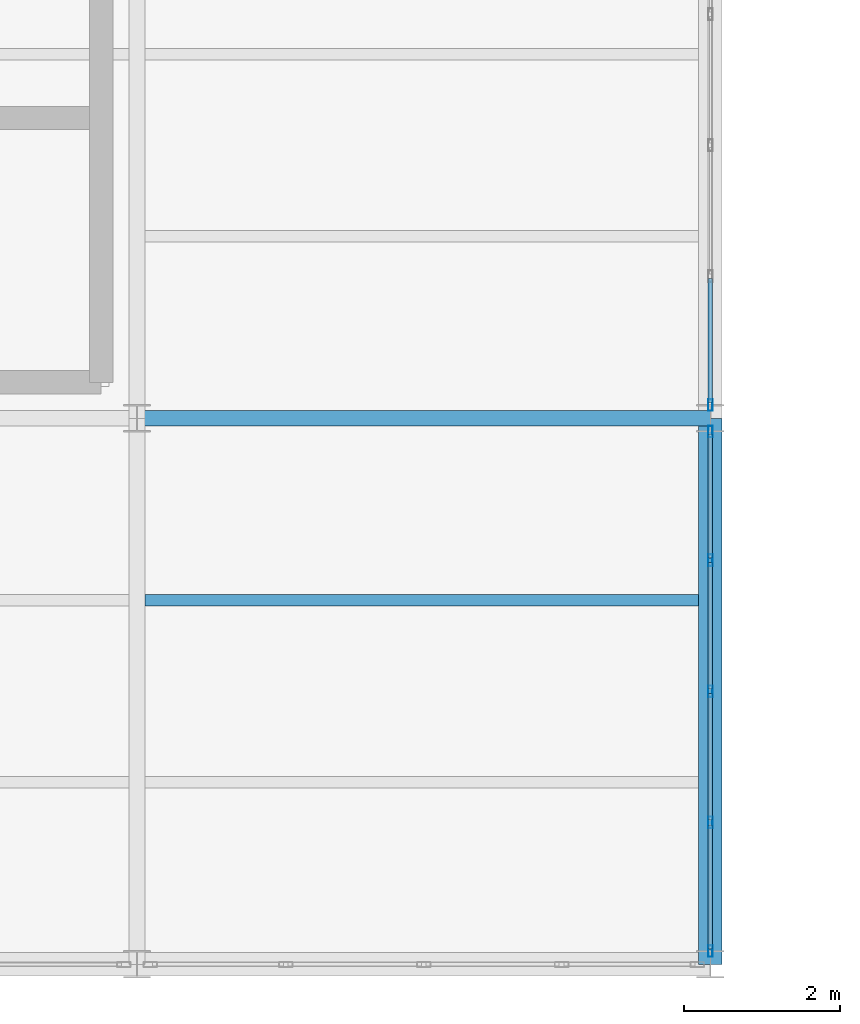
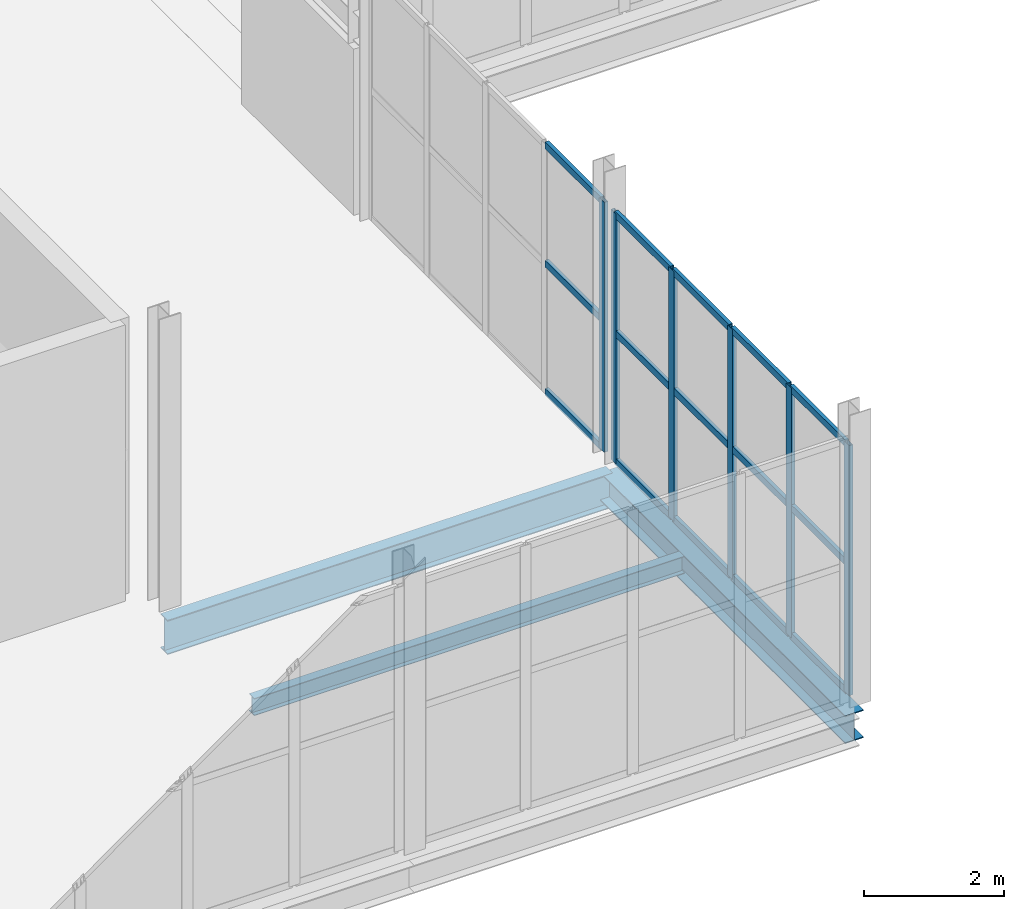
# One storey, part 40 of 218: 21 members, 3 beams, 2 elements without a shape of their own.
"""IFC4 building model written with IfcOpenShell, lengths in metres."""

from ifc_helpers import new_model, si_unit, direction, frame, origin, origin_2d, place, context, subcontext, project, spatial, hollow_rectangle, i_section, extrude, material, material_profile, profile_set, type_object, element, aggregate, save


model = new_model("IFC4")

# Units and contexts
model_context = context("Model", 3, precision=1e-05, world=origin(), true_north=direction((0.0, 1.0)))
body_context = subcontext(model_context, "Body", "Model", "MODEL_VIEW")
ifc_project = project(units=[si_unit("LENGTHUNIT", "METRE"), si_unit("AREAUNIT", "SQUARE_METRE"), si_unit("VOLUMEUNIT", "CUBIC_METRE"), si_unit("PLANEANGLEUNIT", "RADIAN"), si_unit("MASSUNIT", "GRAM", prefix="KILO")], contexts=[model_context])

# Site, building, storey
site_placement = place(None, origin())
site = spatial("IfcSite", under=ifc_project, at=site_placement, CompositionType="ELEMENT")
building_placement = place(site_placement, origin())
building = spatial("IfcBuilding", under=site, at=building_placement, Name="Kazenagashi Tramway Depot", CompositionType="ELEMENT")
storey_placement = place(building_placement, frame((0.0, 0.0, 6.0)))
storey = spatial("IfcBuildingStorey", under=building, at=storey_placement, Name="L02", CompositionType="ELEMENT", Elevation=6.0)

# Beams
ifc_material_1 = material(Name="Steel SN490B", Category="steel")
ifc_material_profile_1 = material_profile(ifc_material_1, i_section(OverallWidth=0.2, OverallDepth=0.6, WebThickness=0.011, FlangeThickness=0.017, at=origin_2d()), Name="H-600x200x11x17")
ifc_profile_set_1 = profile_set([ifc_material_profile_1], Name="Steel SN490B")
beam_type_1 = type_object("IfcBeamType", Name="G-03", PredefinedType="BEAM", material=ifc_profile_set_1)
beam_1_placement = place(storey_placement, frame((36.75, 7.0, -0.55), z_axis=(1.0, 0.0, 0.0), x_axis=(0.0, 1.0, 0.0)))
element("IfcBeam", 1, at=beam_1_placement, inside=storey, type_object=beam_type_1, Name="Beam G-03 BM-0014", PredefinedType="BEAM", context=body_context, shape_type="SweptSolid", body=[
    extrude(i_section(OverallWidth=0.2, OverallDepth=0.6, WebThickness=0.011, FlangeThickness=0.017, at=origin_2d()), origin(), (0.0, 0.0, 1.0), 7.35),
])
ifc_material_2 = material(Name="Steel SN400B", Category="steel")
ifc_material_profile_2 = material_profile(ifc_material_2, i_section(OverallWidth=0.15, OverallDepth=0.3, WebThickness=0.0065, FlangeThickness=0.009, at=origin_2d()), Name="H-300x150x6.5x9")
ifc_profile_set_2 = profile_set([ifc_material_profile_2], Name="Steel SN400B")
beam_type_2 = type_object("IfcBeamType", Name="J-02", PredefinedType="JOIST", material=ifc_profile_set_2)
beam_2_placement = place(storey_placement, frame((36.85, 4.667, -0.4), z_axis=(1.0, 0.0, 0.0), x_axis=(0.0, 1.0, 0.0)))
element("IfcBeam", 2, at=beam_2_placement, inside=storey, type_object=beam_type_2, Name="Beam J-02 BM-0184", PredefinedType="JOIST", context=body_context, shape_type="SweptSolid", body=[
    extrude(i_section(OverallWidth=0.15, OverallDepth=0.3, WebThickness=0.0065, FlangeThickness=0.009, at=origin_2d()), origin(), (0.0, 0.0, 1.0), 7.1),
])

# Curtain wall, members
ifc_material_3 = material(Name="Anodised Aluminium and Low-E Glazing", Category="aluminium")
curtain_wall_type = type_object("IfcCurtainWallType", Name="CW-34", PredefinedType="USERDEFINED", material=ifc_material_3)
curtain_wall_1_placement = place(storey_placement, origin())
curtain_wall_1 = element("IfcCurtainWall", 3, at=curtain_wall_1_placement, inside=storey, type_object=curtain_wall_type, Name="Industrial Glazed Screen CW-34 CW-0181", ObjectType="GLAZED SCREEN", PredefinedType="USERDEFINED")
ifc_material_4 = material(Name="Anodised Aluminium", Category="aluminium")
ifc_material_profile_3 = material_profile(ifc_material_4, hollow_rectangle(XDim=0.06, YDim=0.15, WallThickness=0.004, at=origin_2d()), Name="RHS-150x60x4")
ifc_profile_set_3 = profile_set([ifc_material_profile_3], Name="Anodised Aluminium")
member_type_1 = type_object("IfcMemberType", Name="ML-01", PredefinedType="MULLION", material=ifc_profile_set_3)
member_1_placement = place(storey_placement, frame((44.1, 0.17, 0.0), z_axis=(0.0, 0.0, 1.0), x_axis=(-1.0, 0.0, 0.0)))
member_1 = element("IfcMember", 4, at=member_1_placement, type_object=member_type_1, Name="CW-34 mullion 1", PredefinedType="MULLION", context=body_context, shape_type="SweptSolid", body=[
    extrude(hollow_rectangle(XDim=0.06, YDim=0.15, WallThickness=0.004, at=origin_2d()), origin(), (0.0, 0.0, 1.0), 4.362),
])
member_2_placement = place(storey_placement, frame((44.1, 1.82, 0.0), z_axis=(0.0, 0.0, 1.0), x_axis=(-1.0, 0.0, 0.0)))
member_2 = element("IfcMember", 5, at=member_2_placement, type_object=member_type_1, Name="CW-34 mullion 2", PredefinedType="MULLION", context=body_context, shape_type="SweptSolid", body=[
    extrude(hollow_rectangle(XDim=0.06, YDim=0.15, WallThickness=0.004, at=origin_2d()), origin(), (0.0, 0.0, 1.0), 4.362),
])
member_3_placement = place(storey_placement, frame((44.1, 3.5, 0.0), z_axis=(0.0, 0.0, 1.0), x_axis=(-1.0, 0.0, 0.0)))
member_3 = element("IfcMember", 6, at=member_3_placement, type_object=member_type_1, Name="CW-34 mullion 3", PredefinedType="MULLION", context=body_context, shape_type="SweptSolid", body=[
    extrude(hollow_rectangle(XDim=0.06, YDim=0.15, WallThickness=0.004, at=origin_2d()), origin(), (0.0, 0.0, 1.0), 4.362),
])
member_4_placement = place(storey_placement, frame((44.1, 5.18, 0.0), z_axis=(0.0, 0.0, 1.0), x_axis=(-1.0, 0.0, 0.0)))
member_4 = element("IfcMember", 7, at=member_4_placement, type_object=member_type_1, Name="CW-34 mullion 4", PredefinedType="MULLION", context=body_context, shape_type="SweptSolid", body=[
    extrude(hollow_rectangle(XDim=0.06, YDim=0.15, WallThickness=0.004, at=origin_2d()), origin(), (0.0, 0.0, 1.0), 4.362),
])
member_5_placement = place(storey_placement, frame((44.1, 6.83, 0.0), z_axis=(0.0, 0.0, 1.0), x_axis=(-1.0, 0.0, 0.0)))
member_5 = element("IfcMember", 8, at=member_5_placement, type_object=member_type_1, Name="CW-34 mullion 5", PredefinedType="MULLION", context=body_context, shape_type="SweptSolid", body=[
    extrude(hollow_rectangle(XDim=0.06, YDim=0.15, WallThickness=0.004, at=origin_2d()), origin(), (0.0, 0.0, 1.0), 4.362),
])

# Curtain wall, member
curtain_wall_2_placement = place(storey_placement, origin())
curtain_wall_2 = element("IfcCurtainWall", 9, at=curtain_wall_2_placement, inside=storey, type_object=curtain_wall_type, Name="Industrial Glazed Screen CW-34 CW-0183", ObjectType="GLAZED SCREEN", PredefinedType="USERDEFINED")
member_6_placement = place(storey_placement, frame((44.1, 7.17, 0.0), z_axis=(0.0, 0.0, 1.0), x_axis=(-1.0, 0.0, 0.0)))
member_6 = element("IfcMember", 10, at=member_6_placement, type_object=member_type_1, Name="CW-34 mullion 1", PredefinedType="MULLION", context=body_context, shape_type="SweptSolid", body=[
    extrude(hollow_rectangle(XDim=0.06, YDim=0.15, WallThickness=0.004, at=origin_2d()), origin(), (0.0, 0.0, 1.0), 4.362),
])

# Beam
ifc_material_profile_4 = material_profile(ifc_material_1, i_section(OverallWidth=0.3, OverallDepth=0.488, WebThickness=0.011, FlangeThickness=0.018, at=origin_2d()), Name="H-488x300x11x18")
ifc_profile_set_4 = profile_set([ifc_material_profile_4], Name="Steel SN490B")
beam_type_3 = type_object("IfcBeamType", Name="SP-02", PredefinedType="SPANDREL", material=ifc_profile_set_4)
beam_3_placement = place(storey_placement, frame((44.1, 0.0, -0.494), z_axis=(0.0, 1.0, 0.0), x_axis=(-1.0, 0.0, 0.0)))
element("IfcBeam", 11, at=beam_3_placement, inside=storey, type_object=beam_type_3, Name="Beam SP-02 BM-0209", PredefinedType="SPANDREL", context=body_context, shape_type="SweptSolid", body=[
    extrude(i_section(OverallWidth=0.3, OverallDepth=0.488, WebThickness=0.011, FlangeThickness=0.018, at=origin_2d()), origin(), (0.0, 0.0, 1.0), 7.0),
])

# Member
ifc_material_profile_5 = material_profile(ifc_material_4, hollow_rectangle(XDim=0.06, YDim=0.12, WallThickness=0.004, at=origin_2d()), Name="RHS-120x60x4")
ifc_profile_set_5 = profile_set([ifc_material_profile_5], Name="Anodised Aluminium")
member_type_2 = type_object("IfcMemberType", Name="TR-01", PredefinedType="USERDEFINED", material=ifc_profile_set_5)
member_7_placement = place(storey_placement, frame((44.1, 0.2, 0.03), z_axis=(0.0, 1.0, 0.0), x_axis=(-1.0, 0.0, 0.0)))
member_7 = element("IfcMember", 12, at=member_7_placement, type_object=member_type_2, Name="CW-34 transom 1.1", ObjectType="TRANSOM", PredefinedType="USERDEFINED", context=body_context, shape_type="SweptSolid", body=[
    extrude(hollow_rectangle(XDim=0.06, YDim=0.12, WallThickness=0.004, at=origin_2d()), origin(), (0.0, 0.0, 1.0), 1.59),
])

member_8_placement = place(storey_placement, frame((44.1, 0.2, 2.268), z_axis=(0.0, 1.0, 0.0), x_axis=(-1.0, 0.0, 0.0)))
member_8 = element("IfcMember", 13, at=member_8_placement, type_object=member_type_2, Name="CW-34 transom 1.2", ObjectType="TRANSOM", PredefinedType="USERDEFINED", context=body_context, shape_type="SweptSolid", body=[
    extrude(hollow_rectangle(XDim=0.06, YDim=0.12, WallThickness=0.004, at=origin_2d()), origin(), (0.0, 0.0, 1.0), 1.59),
])

member_9_placement = place(storey_placement, frame((44.1, 0.2, 4.332), z_axis=(0.0, 1.0, 0.0), x_axis=(-1.0, 0.0, 0.0)))
member_9 = element("IfcMember", 14, at=member_9_placement, type_object=member_type_2, Name="CW-34 transom 1.3", ObjectType="TRANSOM", PredefinedType="USERDEFINED", context=body_context, shape_type="SweptSolid", body=[
    extrude(hollow_rectangle(XDim=0.06, YDim=0.12, WallThickness=0.004, at=origin_2d()), origin(), (0.0, 0.0, 1.0), 1.59),
])

member_10_placement = place(storey_placement, frame((44.1, 1.85, 0.03), z_axis=(0.0, 1.0, 0.0), x_axis=(-1.0, 0.0, 0.0)))
member_10 = element("IfcMember", 15, at=member_10_placement, type_object=member_type_2, Name="CW-34 transom 2.1", ObjectType="TRANSOM", PredefinedType="USERDEFINED", context=body_context, shape_type="SweptSolid", body=[
    extrude(hollow_rectangle(XDim=0.06, YDim=0.12, WallThickness=0.004, at=origin_2d()), origin(), (0.0, 0.0, 1.0), 1.62),
])

member_11_placement = place(storey_placement, frame((44.1, 1.85, 2.268), z_axis=(0.0, 1.0, 0.0), x_axis=(-1.0, 0.0, 0.0)))
member_11 = element("IfcMember", 16, at=member_11_placement, type_object=member_type_2, Name="CW-34 transom 2.2", ObjectType="TRANSOM", PredefinedType="USERDEFINED", context=body_context, shape_type="SweptSolid", body=[
    extrude(hollow_rectangle(XDim=0.06, YDim=0.12, WallThickness=0.004, at=origin_2d()), origin(), (0.0, 0.0, 1.0), 1.62),
])

member_12_placement = place(storey_placement, frame((44.1, 1.85, 4.332), z_axis=(0.0, 1.0, 0.0), x_axis=(-1.0, 0.0, 0.0)))
member_12 = element("IfcMember", 17, at=member_12_placement, type_object=member_type_2, Name="CW-34 transom 2.3", ObjectType="TRANSOM", PredefinedType="USERDEFINED", context=body_context, shape_type="SweptSolid", body=[
    extrude(hollow_rectangle(XDim=0.06, YDim=0.12, WallThickness=0.004, at=origin_2d()), origin(), (0.0, 0.0, 1.0), 1.62),
])

member_13_placement = place(storey_placement, frame((44.1, 3.53, 0.03), z_axis=(0.0, 1.0, 0.0), x_axis=(-1.0, 0.0, 0.0)))
member_13 = element("IfcMember", 18, at=member_13_placement, type_object=member_type_2, Name="CW-34 transom 3.1", ObjectType="TRANSOM", PredefinedType="USERDEFINED", context=body_context, shape_type="SweptSolid", body=[
    extrude(hollow_rectangle(XDim=0.06, YDim=0.12, WallThickness=0.004, at=origin_2d()), origin(), (0.0, 0.0, 1.0), 1.62),
])

member_14_placement = place(storey_placement, frame((44.1, 3.53, 2.268), z_axis=(0.0, 1.0, 0.0), x_axis=(-1.0, 0.0, 0.0)))
member_14 = element("IfcMember", 19, at=member_14_placement, type_object=member_type_2, Name="CW-34 transom 3.2", ObjectType="TRANSOM", PredefinedType="USERDEFINED", context=body_context, shape_type="SweptSolid", body=[
    extrude(hollow_rectangle(XDim=0.06, YDim=0.12, WallThickness=0.004, at=origin_2d()), origin(), (0.0, 0.0, 1.0), 1.62),
])

member_15_placement = place(storey_placement, frame((44.1, 3.53, 4.332), z_axis=(0.0, 1.0, 0.0), x_axis=(-1.0, 0.0, 0.0)))
member_15 = element("IfcMember", 20, at=member_15_placement, type_object=member_type_2, Name="CW-34 transom 3.3", ObjectType="TRANSOM", PredefinedType="USERDEFINED", context=body_context, shape_type="SweptSolid", body=[
    extrude(hollow_rectangle(XDim=0.06, YDim=0.12, WallThickness=0.004, at=origin_2d()), origin(), (0.0, 0.0, 1.0), 1.62),
])

member_16_placement = place(storey_placement, frame((44.1, 5.21, 0.03), z_axis=(0.0, 1.0, 0.0), x_axis=(-1.0, 0.0, 0.0)))
member_16 = element("IfcMember", 21, at=member_16_placement, type_object=member_type_2, Name="CW-34 transom 4.1", ObjectType="TRANSOM", PredefinedType="USERDEFINED", context=body_context, shape_type="SweptSolid", body=[
    extrude(hollow_rectangle(XDim=0.06, YDim=0.12, WallThickness=0.004, at=origin_2d()), origin(), (0.0, 0.0, 1.0), 1.59),
])

member_17_placement = place(storey_placement, frame((44.1, 5.21, 2.268), z_axis=(0.0, 1.0, 0.0), x_axis=(-1.0, 0.0, 0.0)))
member_17 = element("IfcMember", 22, at=member_17_placement, type_object=member_type_2, Name="CW-34 transom 4.2", ObjectType="TRANSOM", PredefinedType="USERDEFINED", context=body_context, shape_type="SweptSolid", body=[
    extrude(hollow_rectangle(XDim=0.06, YDim=0.12, WallThickness=0.004, at=origin_2d()), origin(), (0.0, 0.0, 1.0), 1.59),
])

member_18_placement = place(storey_placement, frame((44.1, 5.21, 4.332), z_axis=(0.0, 1.0, 0.0), x_axis=(-1.0, 0.0, 0.0)))
member_18 = element("IfcMember", 23, at=member_18_placement, type_object=member_type_2, Name="CW-34 transom 4.3", ObjectType="TRANSOM", PredefinedType="USERDEFINED", context=body_context, shape_type="SweptSolid", body=[
    extrude(hollow_rectangle(XDim=0.06, YDim=0.12, WallThickness=0.004, at=origin_2d()), origin(), (0.0, 0.0, 1.0), 1.59),
])

aggregate(curtain_wall_1, [member_1, member_2, member_3, member_4, member_5, member_7, member_8, member_9, member_10, member_11, member_12, member_13, member_14, member_15, member_16, member_17, member_18])

member_19_placement = place(storey_placement, frame((44.1, 7.2, 0.03), z_axis=(0.0, 1.0, 0.0), x_axis=(-1.0, 0.0, 0.0)))
member_19 = element("IfcMember", 24, at=member_19_placement, type_object=member_type_2, Name="CW-34 transom 1.1", ObjectType="TRANSOM", PredefinedType="USERDEFINED", context=body_context, shape_type="SweptSolid", body=[
    extrude(hollow_rectangle(XDim=0.06, YDim=0.12, WallThickness=0.004, at=origin_2d()), origin(), (0.0, 0.0, 1.0), 1.59),
])

member_20_placement = place(storey_placement, frame((44.1, 7.2, 2.268), z_axis=(0.0, 1.0, 0.0), x_axis=(-1.0, 0.0, 0.0)))
member_20 = element("IfcMember", 25, at=member_20_placement, type_object=member_type_2, Name="CW-34 transom 1.2", ObjectType="TRANSOM", PredefinedType="USERDEFINED", context=body_context, shape_type="SweptSolid", body=[
    extrude(hollow_rectangle(XDim=0.06, YDim=0.12, WallThickness=0.004, at=origin_2d()), origin(), (0.0, 0.0, 1.0), 1.59),
])

member_21_placement = place(storey_placement, frame((44.1, 7.2, 4.332), z_axis=(0.0, 1.0, 0.0), x_axis=(-1.0, 0.0, 0.0)))
member_21 = element("IfcMember", 26, at=member_21_placement, type_object=member_type_2, Name="CW-34 transom 1.3", ObjectType="TRANSOM", PredefinedType="USERDEFINED", context=body_context, shape_type="SweptSolid", body=[
    extrude(hollow_rectangle(XDim=0.06, YDim=0.12, WallThickness=0.004, at=origin_2d()), origin(), (0.0, 0.0, 1.0), 1.59),
])

aggregate(curtain_wall_2, [member_6, member_19, member_20, member_21])

save(model, "model.ifc")
